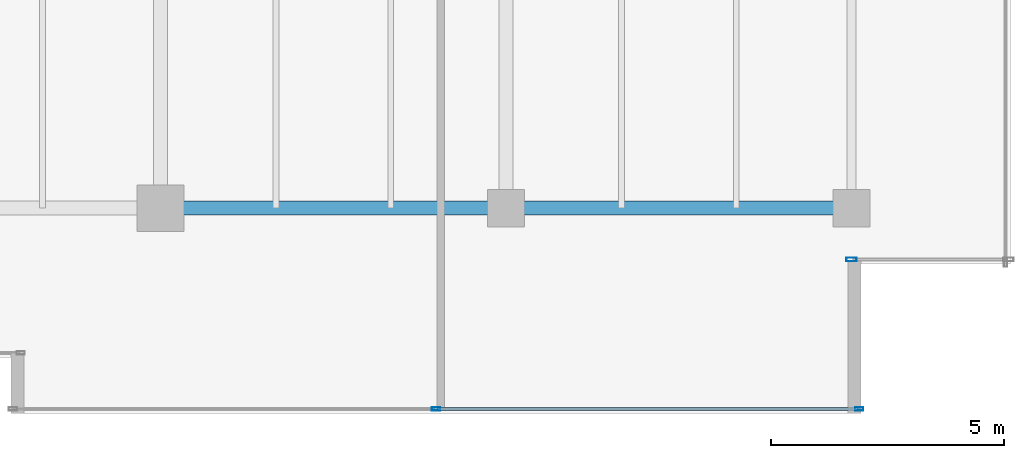
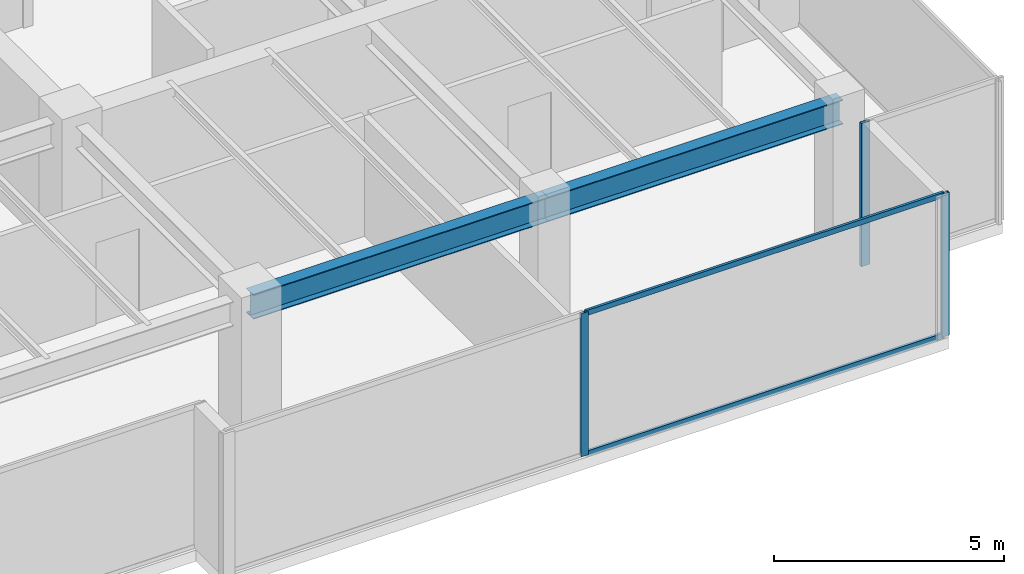
# One storey, part 13 of 33: 5 members, 2 beams, 2 elements without a shape of their own.
"""IFC4 building model written with IfcOpenShell, lengths in metres."""

import ifcopenshell
import ifcopenshell.guid

model = None  # the IFC model being written
_history = None  # IfcOwnerHistory: only IFC2X3 demands one
_inside = {}  # id of a spatial element -> (the spatial element, [elements in it])
_under = {}  # id of a project, library or spatial element -> (it, [spatial elements below it])
_declared = {}  # id of a project -> (the project, [libraries it declares])
_typed = {}  # id of a type object -> (the type object, [elements of that type])
_made_of = {}  # id of a material, layer set ... -> (it, [elements and type objects made of it])


def new_model(schema):
    """Start an empty IFC model of exactly this schema.

    Asked for "IFC4X3", IfcOpenShell would pick the latest addendum, in which some entities
    have other attributes; the version numbers below select the first issue.
    IFC2X3 requires an IfcOwnerHistory on every rooted entity: one is made here for all.
    """
    global model, _history
    if schema == "IFC4X3":
        model = ifcopenshell.file(schema_version=(4, 3, 0, 0))
    else:
        model = ifcopenshell.file(schema=schema)
    _inside.clear()
    _under.clear()
    _declared.clear()
    _typed.clear()
    _made_of.clear()
    _history = None
    if model.schema == "IFC2X3":
        org = make("IfcOrganization", Name="unknown")
        user = make(
            "IfcPersonAndOrganization",
            ThePerson=make("IfcPerson", FamilyName="unknown"),
            TheOrganization=org,
        )
        app = make(
            "IfcApplication",
            ApplicationDeveloper=org,
            Version="unknown",
            ApplicationFullName="unknown",
            ApplicationIdentifier="unknown",
        )
        _history = make(
            "IfcOwnerHistory",
            OwningUser=user,
            OwningApplication=app,
            ChangeAction="ADDED",
            CreationDate=0,
        )
    return model


def make(cls, **values):
    """One entity of the class cls with the attributes given. An attribute that is None is left unset."""
    return model.create_entity(
        cls, **{name: value for name, value in values.items() if value is not None}
    )


def rooted(cls, **values):
    """An entity with a GlobalId (a new one), such as an element, a storey or a relation."""
    return make(cls, GlobalId=ifcopenshell.guid.new(), OwnerHistory=_history, **values)


def si_unit(unit_type, name, prefix=None):
    """IfcSIUnit, for example si_unit("LENGTHUNIT", "METRE", prefix="MILLI")."""
    return make("IfcSIUnit", UnitType=unit_type, Prefix=prefix, Name=name)


def assignment(units):
    """IfcUnitAssignment: the units of a project."""
    return None if units is None else make("IfcUnitAssignment", Units=units)


def point(xyz):
    """IfcCartesianPoint."""
    return None if xyz is None else make("IfcCartesianPoint", Coordinates=xyz)


def direction(xyz):
    """IfcDirection."""
    return None if xyz is None else make("IfcDirection", DirectionRatios=xyz)


def frame(location, z_axis=None, x_axis=None):
    """IfcAxis2Placement3D, a coordinate frame: its origin and axes. An axis left out is left unset."""
    return make(
        "IfcAxis2Placement3D",
        Location=point(location),
        Axis=direction(z_axis),
        RefDirection=direction(x_axis),
    )


def frame_2d(location, x_axis=None):
    """IfcAxis2Placement2D, a coordinate frame in the plane: its origin and x axis."""
    return make(
        "IfcAxis2Placement2D", Location=point(location), RefDirection=direction(x_axis)
    )


def origin():
    """The frame at (0, 0, 0) with its axes left unset."""
    return frame((0.0, 0.0, 0.0))


def origin_2d():
    """The frame at (0, 0) in the plane with its x axis left unset."""
    return frame_2d((0.0, 0.0))


def place(relative_to, where):
    """IfcLocalPlacement: puts the frame where relative to a parent placement (None: the world)."""
    return make(
        "IfcLocalPlacement", PlacementRelTo=relative_to, RelativePlacement=where
    )


def context(
    kind, dimensions, precision=None, world=None, true_north=None, identifier=None
):
    """IfcGeometricRepresentationContext, for example the 3D "Model" context."""
    return make(
        "IfcGeometricRepresentationContext",
        ContextIdentifier=identifier,
        ContextType=kind,
        CoordinateSpaceDimension=dimensions,
        Precision=precision,
        WorldCoordinateSystem=world,
        TrueNorth=true_north,
    )


def subcontext(parent, identifier, kind, view, scale=None):
    """IfcGeometricRepresentationSubContext, for example "Body" below "Model"."""
    return make(
        "IfcGeometricRepresentationSubContext",
        ContextIdentifier=identifier,
        ContextType=kind,
        ParentContext=parent,
        TargetScale=scale,
        TargetView=view,
    )


def project(units=None, contexts=None):
    """IfcProject with its units and contexts."""
    return rooted(
        "IfcProject",
        Name="project",
        RepresentationContexts=contexts,
        UnitsInContext=assignment(units),
    )


def spatial(cls, under=None, at=None, **own):
    """A site, building, storey or space (cls), placed at a placement, below another one or the project."""
    s = rooted(cls, ObjectPlacement=at, **own)
    if under is not None:
        _under.setdefault(under.id(), (under, []))[1].append(s)
    return s


def profile(cls, at=None, kind="AREA", **sizes):
    """A parametric profile (cls). Its sizes go by their IFC names, for example OverallWidth=200.0."""
    return make(cls, ProfileType=kind, Position=at, **sizes)


def hollow_rectangle(**sizes):
    """IfcRectangleHollowProfileDef."""
    return profile("IfcRectangleHollowProfileDef", **sizes)


def i_section(**sizes):
    """IfcIShapeProfileDef."""
    return profile("IfcIShapeProfileDef", **sizes)


def extrude(swept, where, along, depth):
    """IfcExtrudedAreaSolid: the profile swept, set in the frame where, extruded along a direction by depth."""
    return make(
        "IfcExtrudedAreaSolid",
        SweptArea=swept,
        Position=where,
        ExtrudedDirection=direction(along),
        Depth=depth,
    )


def shape(context_of_items, identifier, shape_type, items):
    """IfcShapeRepresentation: the items that make up one representation, for example the "Body"."""
    return make(
        "IfcShapeRepresentation",
        ContextOfItems=context_of_items,
        RepresentationIdentifier=identifier,
        RepresentationType=shape_type,
        Items=items,
    )


def source(mapping_origin, context_of_items, identifier, shape_type, items):
    """IfcRepresentationMap: a shape defined once, which mapped items show again and again."""
    return make(
        "IfcRepresentationMap",
        MappingOrigin=mapping_origin,
        MappedRepresentation=shape(context_of_items, identifier, shape_type, items),
    )


def transform(
    local_origin,
    x_axis=None,
    y_axis=None,
    z_axis=None,
    scale=None,
    scale2=None,
    scale3=None,
    uniform=True,
):
    """IfcCartesianTransformationOperator3D, or its non-uniform kind. x_axis, y_axis, z_axis: its Axis1, 2, 3."""
    if uniform:
        return make(
            "IfcCartesianTransformationOperator3D",
            Axis1=direction(x_axis),
            Axis2=direction(y_axis),
            LocalOrigin=point(local_origin),
            Scale=scale,
            Axis3=direction(z_axis),
        )
    return make(
        "IfcCartesianTransformationOperator3DnonUniform",
        Axis1=direction(x_axis),
        Axis2=direction(y_axis),
        LocalOrigin=point(local_origin),
        Scale=scale,
        Axis3=direction(z_axis),
        Scale2=scale2,
        Scale3=scale3,
    )


def mapped(mapping_source, mapping_target):
    """IfcMappedItem: shows the shape of a source again, moved by a transform."""
    return make(
        "IfcMappedItem", MappingSource=mapping_source, MappingTarget=mapping_target
    )


def material(Name=None, Category=None):
    """IfcMaterial."""
    return make("IfcMaterial", Name=Name, Category=Category)


def layer(
    of_material, thickness, ventilated=None, Name=None, Category=None, Priority=None
):
    """IfcMaterialLayer: one layer of a wall or slab, of a material (None: an air gap)."""
    return make(
        "IfcMaterialLayer",
        Material=of_material,
        LayerThickness=thickness,
        IsVentilated=ventilated,
        Name=Name,
        Category=Category,
        Priority=Priority,
    )


def layer_set(layers, Name=None):
    """IfcMaterialLayerSet."""
    return make("IfcMaterialLayerSet", MaterialLayers=layers, LayerSetName=Name)


def material_profile(
    of_material, cross_section, Name=None, Category=None, Priority=None
):
    """IfcMaterialProfile: a cross section and its material."""
    return make(
        "IfcMaterialProfile",
        Name=Name,
        Material=of_material,
        Profile=cross_section,
        Priority=Priority,
        Category=Category,
    )


def profile_set(profiles, Name=None, composite=None):
    """IfcMaterialProfileSet."""
    return make(
        "IfcMaterialProfileSet",
        Name=Name,
        MaterialProfiles=profiles,
        CompositeProfile=composite,
    )


def made_of(thing, what):
    """Note that an element or type object is made of a material, layer set ...; save() writes the relation."""
    if what is not None:
        _made_of.setdefault(what.id(), (what, []))[1].append(thing)
    return thing


def type_object(cls, material=None, **own):
    """A type object (cls), such as IfcWallType, which elements share."""
    return made_of(rooted(cls, **own), material)


def type_shapes(of_type, sources):
    """Give a type object the sources (RepresentationMaps) that its elements show as mapped items."""
    of_type.RepresentationMaps = sources


def element(
    cls,
    number,
    at=None,
    inside=None,
    cuts=None,
    type_object=None,
    material=None,
    context=None,
    identifier="Body",
    shape_type=None,
    held_by="IfcProductDefinitionShape",
    body=None,
    shapes=None,
    **own,
):
    """One element of the class cls, such as IfcWall. Its Tag is "e" and its number.

    at: its placement. inside: the storey or other place that contains it. cuts: it is an
    opening in that element (IfcRelVoidsElement). A single representation is given by context,
    identifier, shape_type and body (its items); several are given by shapes. held_by: the class
    of the entity that holds the representations. save() writes the other relations.
    """
    e = rooted(cls, Tag="e%d" % number, ObjectPlacement=at, **own)
    if body is not None:
        shapes = [shape(context, identifier, shape_type, body)]
    if shapes is not None:
        e.Representation = make(held_by, Representations=shapes)
    if inside is not None:
        _inside.setdefault(inside.id(), (inside, []))[1].append(e)
    if cuts is not None:
        rooted(
            "IfcRelVoidsElement", RelatingBuildingElement=cuts, RelatedOpeningElement=e
        )
    if type_object is not None:
        _typed.setdefault(type_object.id(), (type_object, []))[1].append(e)
    return made_of(e, material)


def aggregate(whole, parts):
    """IfcRelAggregates: a whole, such as a stair, and the parts it consists of."""
    return rooted("IfcRelAggregates", RelatingObject=whole, RelatedObjects=parts)


def save(model, path):
    """Write the relations noted so far, then the file.

    IfcRelAggregates (storeys below a building ...), IfcRelContainedInSpatialStructure (elements
    in a storey), IfcRelDefinesByType, IfcRelAssociatesMaterial and IfcRelDeclares: one each for
    every whole, place, type object, material and project.
    """
    for whole, parts in _under.values():
        aggregate(whole, parts)
    for where, things in _inside.values():
        rooted(
            "IfcRelContainedInSpatialStructure",
            RelatedElements=things,
            RelatingStructure=where,
        )
    for kind, things in _typed.values():
        rooted("IfcRelDefinesByType", RelatedObjects=things, RelatingType=kind)
    for what, things in _made_of.values():
        rooted("IfcRelAssociatesMaterial", RelatedObjects=things, RelatingMaterial=what)
    for by, libraries in _declared.values():
        rooted("IfcRelDeclares", RelatingContext=by, RelatedDefinitions=libraries)
    model.write(path)


model = new_model("IFC4")

# Units and contexts
model_context = context("Model", 3, precision=1e-05, world=origin(), true_north=direction((0.0, 1.0)))
body_context = subcontext(model_context, "Body", "Model", "MODEL_VIEW")
ifc_project = project(units=[si_unit("LENGTHUNIT", "METRE"), si_unit("AREAUNIT", "SQUARE_METRE"), si_unit("VOLUMEUNIT", "CUBIC_METRE"), si_unit("PLANEANGLEUNIT", "RADIAN"), si_unit("MASSUNIT", "GRAM", prefix="KILO")], contexts=[model_context])

# Site, building, storey
site_placement = place(None, origin())
site = spatial("IfcSite", under=ifc_project, at=site_placement, CompositionType="ELEMENT")
building_placement = place(site_placement, origin())
building = spatial("IfcBuilding", under=site, at=building_placement, Name="Haelvirn Gate Laboratories", CompositionType="ELEMENT")
storey_placement = place(building_placement, frame((0.0, 0.0, 279.300048828125)))
storey = spatial("IfcBuildingStorey", under=building, at=storey_placement, Name="L67", CompositionType="ELEMENT", Elevation=279.300048828125)

# Beams
ifc_material_1 = material(Name="Steel SM355", Category="steel")
ifc_material_profile_1 = material_profile(ifc_material_1, i_section(OverallWidth=0.300048828125, OverallDepth=0.64990234375, WebThickness=0.012939453125, FlangeThickness=0.02197265625, at=origin_2d()), Name="H-650x300x13x22")
ifc_profile_set_1 = profile_set([ifc_material_profile_1], Name="Steel SM355")
beam_type = type_object("IfcBeamType", Name="BM-G-650", PredefinedType="BEAM", material=ifc_profile_set_1)
shared_shape_1 = source(origin(), body_context, "Body", "SweptSolid", [
    extrude(i_section(OverallWidth=0.300048828125, OverallDepth=0.64990234375, WebThickness=0.012939453125, FlangeThickness=0.02197265625, at=origin_2d()), origin(), (0.0, 0.0, 1.0), 7.39990234375),
])
type_shapes(beam_type, [shared_shape_1])
for number, where, z_axis, x_axis, name in (
    (1, (52.60009765625, 7.0, 3.474853515625), (1.0, 0.0, 0.0), (0.0, 1.0, 0.0), "L67 Primary Girder Y7.0 (52.6-60.0)"),
    (2, (60.0, 7.0, 3.474853515625), (1.0, 0.0, 0.0), (0.0, 1.0, 0.0), "L67 Primary Girder Y7.0 (60.0-67.4)"),
):
    element("IfcBeam", number, at=place(storey_placement, frame(where, z_axis=z_axis, x_axis=x_axis)), inside=storey, type_object=beam_type, Name=name, PredefinedType="BEAM", context=body_context, shape_type="MappedRepresentation", body=[
        mapped(shared_shape_1, transform((0.0, 0.0, 0.0), scale=1.0)),
    ])

# Curtain wall, members
ifc_material_2 = material(Name="Anodised bronze unitised aluminium & triple low-E glass", Category="aluminium")
ifc_layer_1 = layer(ifc_material_2, 0.176025390625, Name="CW-SYS-4")
ifc_layer_set_1 = layer_set([ifc_layer_1], Name="Anodised bronze unitised aluminium & triple low-E glass")
curtain_wall_type_1 = type_object("IfcCurtainWallType", Name="CW-SYS-4", PredefinedType="NOTDEFINED", material=ifc_layer_set_1)
curtain_wall_1_placement = place(storey_placement, origin())
curtain_wall_1 = element("IfcCurtainWall", 3, at=curtain_wall_1_placement, inside=storey, type_object=curtain_wall_type_1, Name="L67 Unitised Curtain Wall CW-L67-P0-E04-1", PredefinedType="NOTDEFINED")
ifc_material_3 = material(Name="Extruded aluminium 6063-T6 (anodised bronze)", Category="aluminium")
ifc_material_profile_2 = material_profile(ifc_material_3, hollow_rectangle(XDim=0.06494140625, YDim=0.139892578125, WallThickness=0.00390625, at=origin_2d()), Name="CWT-140x65x4")
ifc_profile_set_2 = profile_set([ifc_material_profile_2], Name="Extruded aluminium 6063-T6 (anodised bronze)")
member_type_1 = type_object("IfcMemberType", Name="CWT-T140", PredefinedType="USERDEFINED", material=ifc_profile_set_2)
shared_shape_2 = source(origin(), body_context, "Body", "SweptSolid", [
    extrude(hollow_rectangle(XDim=0.06494140625, YDim=0.139892578125, WallThickness=0.00390625, at=origin_2d()), origin(), (0.0, 0.0, 1.0), 8.9951171875),
])
type_shapes(member_type_1, [shared_shape_2])
member_1_placement = place(storey_placement, frame((58.534912109375, 2.699951171875, 0.032470703125), z_axis=(1.0, 0.0, 0.0), x_axis=(0.0, 1.0, 0.0)))
member_1 = element("IfcMember", 4, at=member_1_placement, type_object=member_type_1, Name="CW4 transom 2.1", ObjectType="TRANSOM", PredefinedType="USERDEFINED", context=body_context, shape_type="MappedRepresentation", body=[
    mapped(shared_shape_2, transform((0.0, 0.0, 0.0), scale=1.0)),
])
member_2_placement = place(storey_placement, frame((58.534912109375, 2.699951171875, 3.767333984375), z_axis=(1.0, 0.0, 0.0), x_axis=(0.0, 1.0, 0.0)))
member_2 = element("IfcMember", 5, at=member_2_placement, type_object=member_type_1, Name="CW4 transom 2.2", ObjectType="TRANSOM", PredefinedType="USERDEFINED", context=body_context, shape_type="MappedRepresentation", body=[
    mapped(shared_shape_2, transform((0.0, 0.0, 0.0), scale=1.0)),
])
ifc_material_profile_3 = material_profile(ifc_material_3, hollow_rectangle(XDim=0.070068359375, YDim=0.179931640625, WallThickness=0.0048828125, at=origin_2d()), Name="CWM-180x70x5")
ifc_profile_set_3 = profile_set([ifc_material_profile_3], Name="Extruded aluminium 6063-T6 (anodised bronze)")
member_type_2 = type_object("IfcMemberType", Name="CWM-T180", PredefinedType="MULLION", material=ifc_profile_set_3)
shared_shape_3 = source(origin(), body_context, "Body", "SweptSolid", [
    extrude(hollow_rectangle(XDim=0.070068359375, YDim=0.179931640625, WallThickness=0.0048828125, at=origin_2d()), origin(), (0.0, 0.0, 1.0), 3.800048828125),
])
type_shapes(member_type_2, [shared_shape_3])
member_3_placement = place(storey_placement, frame((58.5, 2.699951171875, 0.0), z_axis=(0.0, 0.0, 1.0), x_axis=(0.0, 1.0, 0.0)))
member_3 = element("IfcMember", 6, at=member_3_placement, type_object=member_type_2, Name="CW4 mullion 2", PredefinedType="MULLION", context=body_context, shape_type="MappedRepresentation", body=[
    mapped(shared_shape_3, transform((0.0, 0.0, 0.0), scale=1.0)),
])
member_4_placement = place(storey_placement, frame((67.56494140625, 2.699951171875, 0.0), z_axis=(0.0, 0.0, 1.0), x_axis=(0.0, 1.0, 0.0)))
member_4 = element("IfcMember", 7, at=member_4_placement, type_object=member_type_2, Name="CW4 mullion 3", PredefinedType="MULLION", context=body_context, shape_type="MappedRepresentation", body=[
    mapped(shared_shape_3, transform((0.0, 0.0, 0.0), scale=1.0)),
])
aggregate(curtain_wall_1, [member_3, member_4, member_1, member_2])

# Curtain wall, member
ifc_layer_2 = layer(ifc_material_2, 0.181884765625, Name="CW-SYS-5")
ifc_layer_set_2 = layer_set([ifc_layer_2], Name="Anodised bronze unitised aluminium & triple low-E glass")
curtain_wall_type_2 = type_object("IfcCurtainWallType", Name="CW-SYS-5", PredefinedType="NOTDEFINED", material=ifc_layer_set_2)
curtain_wall_2_placement = place(storey_placement, origin())
curtain_wall_2 = element("IfcCurtainWall", 8, at=curtain_wall_2_placement, inside=storey, type_object=curtain_wall_type_2, Name="L67 Unitised Curtain Wall CW-L67-P0-E06-1", PredefinedType="NOTDEFINED")
ifc_material_profile_4 = material_profile(ifc_material_3, hollow_rectangle(XDim=0.080078125, YDim=0.219970703125, WallThickness=0.006103515625, at=origin_2d()), Name="CWM-220x80x6")
ifc_profile_set_4 = profile_set([ifc_material_profile_4], Name="Extruded aluminium 6063-T6 (anodised bronze)")
member_type_3 = type_object("IfcMemberType", Name="CWM-T220", PredefinedType="MULLION", material=ifc_profile_set_4)
shared_shape_4 = source(origin(), body_context, "Body", "SweptSolid", [
    extrude(hollow_rectangle(XDim=0.080078125, YDim=0.219970703125, WallThickness=0.006103515625, at=origin_2d()), origin(), (0.0, 0.0, 1.0), 3.800048828125),
])
type_shapes(member_type_3, [shared_shape_4])
member_5_placement = place(storey_placement, frame((67.39990234375, 5.89990234375, 0.0), z_axis=(0.0, 0.0, 1.0), x_axis=(0.0, 1.0, 0.0)))
member_5 = element("IfcMember", 9, at=member_5_placement, type_object=member_type_3, Name="CW5 mullion 1", PredefinedType="MULLION", context=body_context, shape_type="MappedRepresentation", body=[
    mapped(shared_shape_4, transform((0.0, 0.0, 0.0), scale=1.0)),
])
aggregate(curtain_wall_2, [member_5])

save(model, "model.ifc")
